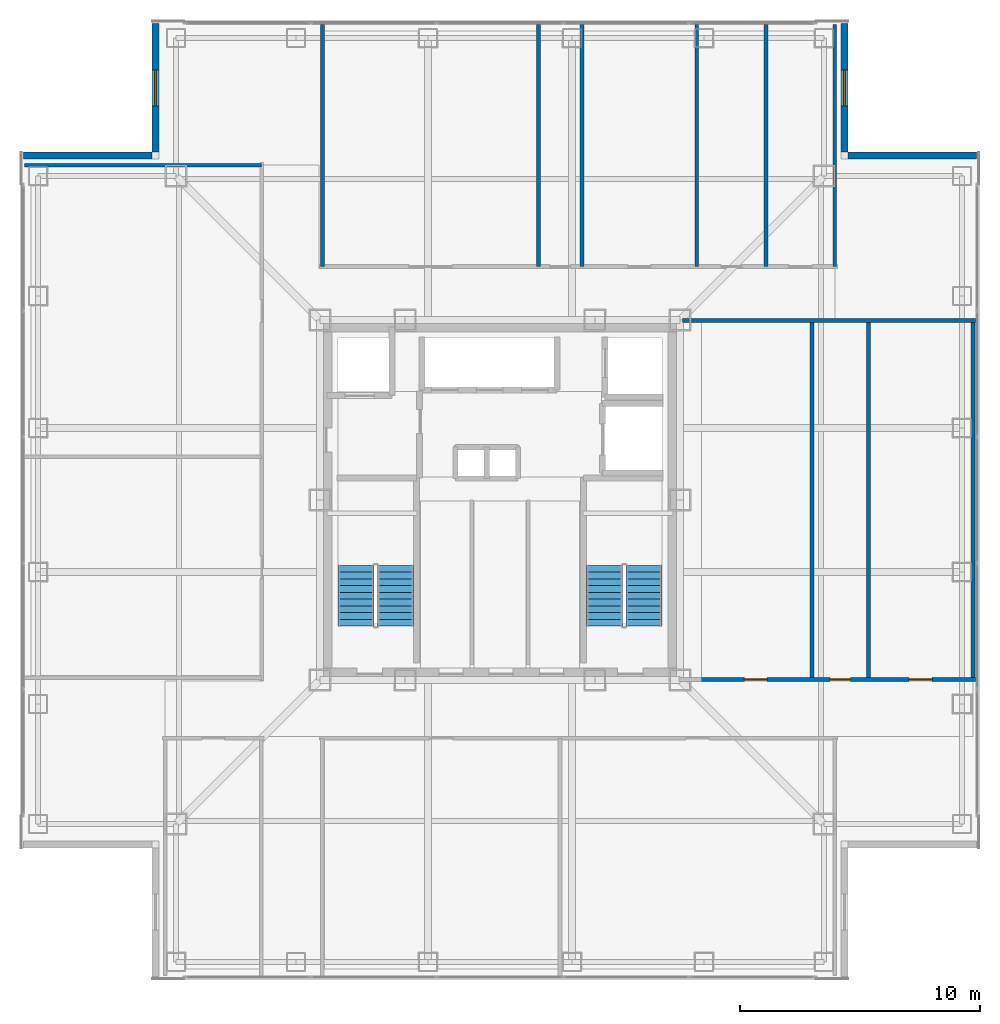
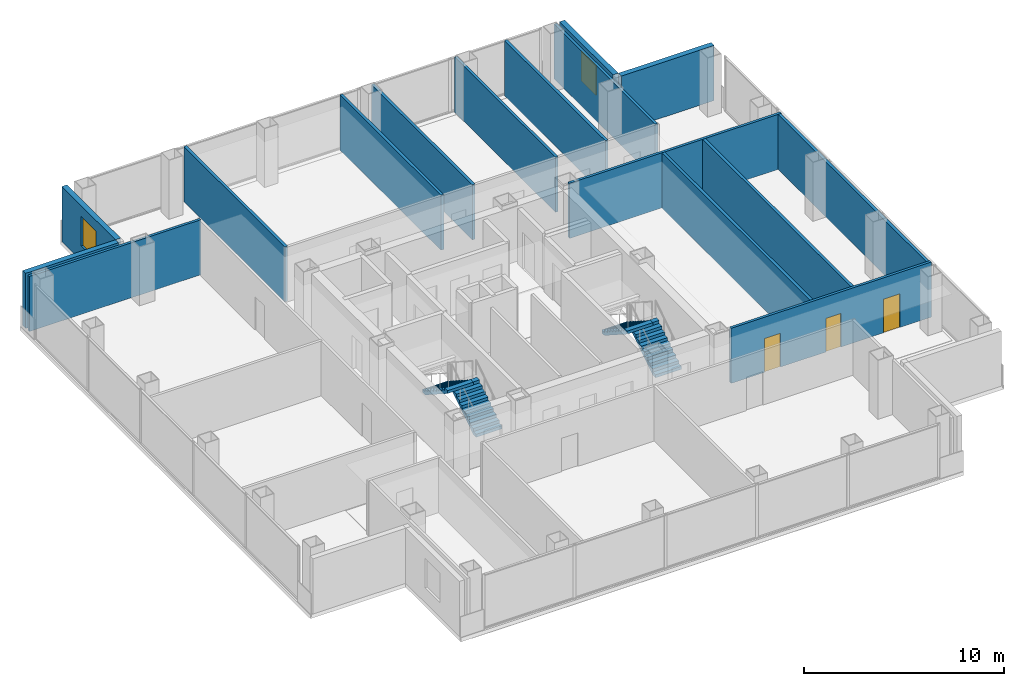
# One storey, part 12 of 18: 16 walls, 4 stair flights, 3 doors, 2 windows, 5 openings, 2 elements without a shape of their own.
"""IFC4 building model written with IfcOpenShell, lengths in metres."""

import ifcopenshell
import ifcopenshell.guid

model = None  # the IFC model being written
_history = None  # IfcOwnerHistory: only IFC2X3 demands one
_inside = {}  # id of a spatial element -> (the spatial element, [elements in it])
_under = {}  # id of a project, library or spatial element -> (it, [spatial elements below it])
_declared = {}  # id of a project -> (the project, [libraries it declares])
_typed = {}  # id of a type object -> (the type object, [elements of that type])
_made_of = {}  # id of a material, layer set ... -> (it, [elements and type objects made of it])


def new_model(schema):
    """Start an empty IFC model of exactly this schema.

    Asked for "IFC4X3", IfcOpenShell would pick the latest addendum, in which some entities
    have other attributes; the version numbers below select the first issue.
    IFC2X3 requires an IfcOwnerHistory on every rooted entity: one is made here for all.
    """
    global model, _history
    if schema == "IFC4X3":
        model = ifcopenshell.file(schema_version=(4, 3, 0, 0))
    else:
        model = ifcopenshell.file(schema=schema)
    _inside.clear()
    _under.clear()
    _declared.clear()
    _typed.clear()
    _made_of.clear()
    _history = None
    if model.schema == "IFC2X3":
        org = make("IfcOrganization", Name="unknown")
        user = make(
            "IfcPersonAndOrganization",
            ThePerson=make("IfcPerson", FamilyName="unknown"),
            TheOrganization=org,
        )
        app = make(
            "IfcApplication",
            ApplicationDeveloper=org,
            Version="unknown",
            ApplicationFullName="unknown",
            ApplicationIdentifier="unknown",
        )
        _history = make(
            "IfcOwnerHistory",
            OwningUser=user,
            OwningApplication=app,
            ChangeAction="ADDED",
            CreationDate=0,
        )
    return model


def make(cls, **values):
    """One entity of the class cls with the attributes given. An attribute that is None is left unset."""
    return model.create_entity(
        cls, **{name: value for name, value in values.items() if value is not None}
    )


def rooted(cls, **values):
    """An entity with a GlobalId (a new one), such as an element, a storey or a relation."""
    return make(cls, GlobalId=ifcopenshell.guid.new(), OwnerHistory=_history, **values)


def si_unit(unit_type, name, prefix=None):
    """IfcSIUnit, for example si_unit("LENGTHUNIT", "METRE", prefix="MILLI")."""
    return make("IfcSIUnit", UnitType=unit_type, Prefix=prefix, Name=name)


def assignment(units):
    """IfcUnitAssignment: the units of a project."""
    return None if units is None else make("IfcUnitAssignment", Units=units)


def point(xyz):
    """IfcCartesianPoint."""
    return None if xyz is None else make("IfcCartesianPoint", Coordinates=xyz)


def direction(xyz):
    """IfcDirection."""
    return None if xyz is None else make("IfcDirection", DirectionRatios=xyz)


def frame(location, z_axis=None, x_axis=None):
    """IfcAxis2Placement3D, a coordinate frame: its origin and axes. An axis left out is left unset."""
    return make(
        "IfcAxis2Placement3D",
        Location=point(location),
        Axis=direction(z_axis),
        RefDirection=direction(x_axis),
    )


def frame_2d(location, x_axis=None):
    """IfcAxis2Placement2D, a coordinate frame in the plane: its origin and x axis."""
    return make(
        "IfcAxis2Placement2D", Location=point(location), RefDirection=direction(x_axis)
    )


def origin():
    """The frame at (0, 0, 0) with its axes left unset."""
    return frame((0.0, 0.0, 0.0))


def place(relative_to, where):
    """IfcLocalPlacement: puts the frame where relative to a parent placement (None: the world)."""
    return make(
        "IfcLocalPlacement", PlacementRelTo=relative_to, RelativePlacement=where
    )


def context(
    kind, dimensions, precision=None, world=None, true_north=None, identifier=None
):
    """IfcGeometricRepresentationContext, for example the 3D "Model" context."""
    return make(
        "IfcGeometricRepresentationContext",
        ContextIdentifier=identifier,
        ContextType=kind,
        CoordinateSpaceDimension=dimensions,
        Precision=precision,
        WorldCoordinateSystem=world,
        TrueNorth=true_north,
    )


def subcontext(parent, identifier, kind, view, scale=None):
    """IfcGeometricRepresentationSubContext, for example "Body" below "Model"."""
    return make(
        "IfcGeometricRepresentationSubContext",
        ContextIdentifier=identifier,
        ContextType=kind,
        ParentContext=parent,
        TargetScale=scale,
        TargetView=view,
    )


def project(units=None, contexts=None):
    """IfcProject with its units and contexts."""
    return rooted(
        "IfcProject",
        Name="project",
        RepresentationContexts=contexts,
        UnitsInContext=assignment(units),
    )


def spatial(cls, under=None, at=None, **own):
    """A site, building, storey or space (cls), placed at a placement, below another one or the project."""
    s = rooted(cls, ObjectPlacement=at, **own)
    if under is not None:
        _under.setdefault(under.id(), (under, []))[1].append(s)
    return s


def polyline(points):
    """IfcPolyline through the points."""
    return make("IfcPolyline", Points=[point(p) for p in points])


def profile(cls, at=None, kind="AREA", **sizes):
    """A parametric profile (cls). Its sizes go by their IFC names, for example OverallWidth=200.0."""
    return make(cls, ProfileType=kind, Position=at, **sizes)


def rectangle(**sizes):
    """IfcRectangleProfileDef."""
    return profile("IfcRectangleProfileDef", **sizes)


def outline(outer, holes=None, kind="AREA"):
    """IfcArbitraryClosedProfileDef: a profile drawn as a closed curve; with holes, ...WithVoids."""
    if holes is None:
        return make("IfcArbitraryClosedProfileDef", ProfileType=kind, OuterCurve=outer)
    return make(
        "IfcArbitraryProfileDefWithVoids",
        ProfileType=kind,
        OuterCurve=outer,
        InnerCurves=holes,
    )


def extrude(swept, where, along, depth):
    """IfcExtrudedAreaSolid: the profile swept, set in the frame where, extruded along a direction by depth."""
    return make(
        "IfcExtrudedAreaSolid",
        SweptArea=swept,
        Position=where,
        ExtrudedDirection=direction(along),
        Depth=depth,
    )


def shape(context_of_items, identifier, shape_type, items):
    """IfcShapeRepresentation: the items that make up one representation, for example the "Body"."""
    return make(
        "IfcShapeRepresentation",
        ContextOfItems=context_of_items,
        RepresentationIdentifier=identifier,
        RepresentationType=shape_type,
        Items=items,
    )


def material(Name=None, Category=None):
    """IfcMaterial."""
    return make("IfcMaterial", Name=Name, Category=Category)


def layer(
    of_material, thickness, ventilated=None, Name=None, Category=None, Priority=None
):
    """IfcMaterialLayer: one layer of a wall or slab, of a material (None: an air gap)."""
    return make(
        "IfcMaterialLayer",
        Material=of_material,
        LayerThickness=thickness,
        IsVentilated=ventilated,
        Name=Name,
        Category=Category,
        Priority=Priority,
    )


def layer_set(layers, Name=None):
    """IfcMaterialLayerSet."""
    return make("IfcMaterialLayerSet", MaterialLayers=layers, LayerSetName=Name)


def made_of(thing, what):
    """Note that an element or type object is made of a material, layer set ...; save() writes the relation."""
    if what is not None:
        _made_of.setdefault(what.id(), (what, []))[1].append(thing)
    return thing


def type_object(cls, material=None, **own):
    """A type object (cls), such as IfcWallType, which elements share."""
    return made_of(rooted(cls, **own), material)


def element(
    cls,
    number,
    at=None,
    inside=None,
    cuts=None,
    type_object=None,
    material=None,
    context=None,
    identifier="Body",
    shape_type=None,
    held_by="IfcProductDefinitionShape",
    body=None,
    shapes=None,
    **own,
):
    """One element of the class cls, such as IfcWall. Its Tag is "e" and its number.

    at: its placement. inside: the storey or other place that contains it. cuts: it is an
    opening in that element (IfcRelVoidsElement). A single representation is given by context,
    identifier, shape_type and body (its items); several are given by shapes. held_by: the class
    of the entity that holds the representations. save() writes the other relations.
    """
    e = rooted(cls, Tag="e%d" % number, ObjectPlacement=at, **own)
    if body is not None:
        shapes = [shape(context, identifier, shape_type, body)]
    if shapes is not None:
        e.Representation = make(held_by, Representations=shapes)
    if inside is not None:
        _inside.setdefault(inside.id(), (inside, []))[1].append(e)
    if cuts is not None:
        rooted(
            "IfcRelVoidsElement", RelatingBuildingElement=cuts, RelatedOpeningElement=e
        )
    if type_object is not None:
        _typed.setdefault(type_object.id(), (type_object, []))[1].append(e)
    return made_of(e, material)


def fill(opening, filler):
    """IfcRelFillsElement: the door or window that sits in an opening."""
    return rooted(
        "IfcRelFillsElement",
        RelatingOpeningElement=opening,
        RelatedBuildingElement=filler,
    )


def aggregate(whole, parts):
    """IfcRelAggregates: a whole, such as a stair, and the parts it consists of."""
    return rooted("IfcRelAggregates", RelatingObject=whole, RelatedObjects=parts)


def save(model, path):
    """Write the relations noted so far, then the file.

    IfcRelAggregates (storeys below a building ...), IfcRelContainedInSpatialStructure (elements
    in a storey), IfcRelDefinesByType, IfcRelAssociatesMaterial and IfcRelDeclares: one each for
    every whole, place, type object, material and project.
    """
    for whole, parts in _under.values():
        aggregate(whole, parts)
    for where, things in _inside.values():
        rooted(
            "IfcRelContainedInSpatialStructure",
            RelatedElements=things,
            RelatingStructure=where,
        )
    for kind, things in _typed.values():
        rooted("IfcRelDefinesByType", RelatedObjects=things, RelatingType=kind)
    for what, things in _made_of.values():
        rooted("IfcRelAssociatesMaterial", RelatedObjects=things, RelatingMaterial=what)
    for by, libraries in _declared.values():
        rooted("IfcRelDeclares", RelatingContext=by, RelatedDefinitions=libraries)
    model.write(path)


model = new_model("IFC4")

# Units and contexts
model_context = context("Model", 3, precision=1e-05, world=origin(), true_north=direction((0.0, 1.0)))
body_context = subcontext(model_context, "Body", "Model", "MODEL_VIEW")
ifc_project = project(units=[si_unit("LENGTHUNIT", "METRE"), si_unit("AREAUNIT", "SQUARE_METRE"), si_unit("VOLUMEUNIT", "CUBIC_METRE"), si_unit("PLANEANGLEUNIT", "RADIAN"), si_unit("MASSUNIT", "GRAM", prefix="KILO")], contexts=[model_context])

# Site, building, storey
site_placement = place(None, origin())
site = spatial("IfcSite", under=ifc_project, at=site_placement, CompositionType="ELEMENT")
building_placement = place(site_placement, origin())
building = spatial("IfcBuilding", under=site, at=building_placement, Name="Trevonay Congress Spire", CompositionType="ELEMENT")
storey_placement = place(building_placement, frame((0.0, 0.0, 220.199951171875)))
storey = spatial("IfcBuildingStorey", under=building, at=storey_placement, Name="L57", CompositionType="ELEMENT", Elevation=220.199951171875)

# Wall, openings, doors
ifc_material_1 = material(Name="Concrete C40/50", Category="concrete")
ifc_layer_1 = layer(ifc_material_1, 0.14990234375, Name="Concrete C40/50")
ifc_layer_set_1 = layer_set([ifc_layer_1], Name="Concrete C40/50")
wall_type_1 = type_object("IfcWallType", Name="WAL-CORR-150", PredefinedType="PARTITIONING", material=ifc_layer_set_1)
wall_1_placement = place(storey_placement, frame((8.280029296875, -7.47998046875, 0.0), z_axis=(0.0, 0.0, 1.0), x_axis=(1.0, 0.0, 0.0)))
wall_1 = element("IfcWall", 1, at=wall_1_placement, inside=storey, type_object=wall_type_1, Name="L57 interior wall WP-L57E-COR", PredefinedType="PARTITIONING", context=body_context, shape_type="SweptSolid", body=[
    extrude(rectangle(XDim=11.5400390625, YDim=0.14990234375, at=frame_2d((5.77001953125, 0.0))), origin(), (0.0, 0.0, 1.0), 3.360107421875),
])
opening_1_placement = place(wall_1_placement, frame((1.905029296875, 0.0, 0.0)))
opening_1 = element("IfcOpeningElement", 2, at=opening_1_placement, cuts=wall_1, Name="Opening D07", PredefinedType="OPENING", context=body_context, shape_type="SweptSolid", body=[
    extrude(rectangle(XDim=0.949951171875, YDim=2.06005859375, at=frame_2d((0.47509765625, 1.030029296875))), frame((0.0, 0.0849609375, 0.0), z_axis=(0.0, -1.0, 0.0), x_axis=(1.0, 0.0, 0.0)), (0.0, 0.0, 1.0), 0.169921875),
])
opening_2_placement = place(wall_1_placement, frame((5.469970703125, 0.0, 0.0)))
opening_2 = element("IfcOpeningElement", 3, at=opening_2_placement, cuts=wall_1, Name="Opening D10", PredefinedType="OPENING", context=body_context, shape_type="SweptSolid", body=[
    extrude(rectangle(XDim=0.85009765625, YDim=2.050048828125, at=frame_2d((0.425048828125, 1.02490234375))), frame((0.0, 0.0849609375, 0.0), z_axis=(0.0, -1.0, 0.0), x_axis=(1.0, 0.0, 0.0)), (0.0, 0.0, 1.0), 0.169921875),
])
opening_3_placement = place(wall_1_placement, frame((8.77001953125, 0.0, 0.0)))
opening_3 = element("IfcOpeningElement", 4, at=opening_3_placement, cuts=wall_1, Name="Opening D07", PredefinedType="OPENING", context=body_context, shape_type="SweptSolid", body=[
    extrude(rectangle(XDim=0.949951171875, YDim=2.06005859375, at=frame_2d((0.47509765625, 1.030029296875))), frame((0.0, 0.0849609375, 0.0), z_axis=(0.0, -1.0, 0.0), x_axis=(1.0, 0.0, 0.0)), (0.0, 0.0, 1.0), 0.169921875),
])
ifc_material_2 = material(Name="Pale Anodised Aluminium EN AW-6063-T6", Category="aluminium")
door_type_1 = type_object("IfcDoorType", Name="DOR-OFFICE-95", OperationType="NOTDEFINED", PredefinedType="DOOR", material=ifc_material_2)
door_1_placement = place(opening_1_placement, origin())
door_1 = element("IfcDoor", 5, at=door_1_placement, inside=storey, type_object=door_type_1, Name="L57 Catering Kitchen Door", OperationType="SINGLE_SWING_LEFT", OverallHeight=2.06005859375, OverallWidth=0.949951171875, PredefinedType="DOOR", context=body_context, shape_type="SweptSolid", body=[
    extrude(rectangle(XDim=0.949951171875, YDim=2.06005859375, at=frame_2d((0.47509765625, 1.030029296875))), frame((0.0, 0.02490234375, 0.0), z_axis=(0.0, -1.0, 0.0), x_axis=(1.0, 0.0, 0.0)), (0.0, 0.0, 1.0), 0.050048828125),
])
fill(opening_1, door_1)
door_2_placement = place(opening_3_placement, origin())
door_2 = element("IfcDoor", 6, at=door_2_placement, inside=storey, type_object=door_type_1, Name="L57 Floor Supplies and Copy Room Door", OperationType="SINGLE_SWING_LEFT", OverallHeight=2.06005859375, OverallWidth=0.949951171875, PredefinedType="DOOR", context=body_context, shape_type="SweptSolid", body=[
    extrude(rectangle(XDim=0.949951171875, YDim=2.06005859375, at=frame_2d((0.47509765625, 1.030029296875))), frame((0.0, 0.02490234375, 0.0), z_axis=(0.0, -1.0, 0.0), x_axis=(1.0, 0.0, 0.0)), (0.0, 0.0, 1.0), 0.050048828125),
])
fill(opening_3, door_2)
door_type_2 = type_object("IfcDoorType", Name="DOR-WC-85", OperationType="NOTDEFINED", PredefinedType="DOOR", material=ifc_material_2)
door_3_placement = place(opening_2_placement, origin())
door_3 = element("IfcDoor", 7, at=door_3_placement, inside=storey, type_object=door_type_2, Name="L57 Male Restroom WC Door", OperationType="SINGLE_SWING_RIGHT", OverallHeight=2.050048828125, OverallWidth=0.85009765625, PredefinedType="DOOR", context=body_context, shape_type="SweptSolid", body=[
    extrude(rectangle(XDim=0.85009765625, YDim=2.050048828125, at=frame_2d((0.425048828125, 1.02490234375))), frame((0.0, 0.02490234375, 0.0), z_axis=(0.0, -1.0, 0.0), x_axis=(1.0, 0.0, 0.0)), (0.0, 0.0, 1.0), 0.050048828125),
])
fill(opening_2, door_3)

# Wall, opening, window
ifc_material_3 = material(Name="Precast concrete C40/50", Category="concrete")
ifc_layer_2 = layer(ifc_material_3, 0.300048828125, Name="Precast concrete C40/50")
ifc_layer_set_2 = layer_set([ifc_layer_2], Name="Precast concrete C40/50")
wall_type_2 = type_object("IfcWallType", Name="WAL-EXT-PRECAST-300", PredefinedType="SOLIDWALL", material=ifc_layer_set_2)
wall_2_placement = place(storey_placement, frame((14.35009765625, 19.85009765625, 0.0), z_axis=(0.0, 0.0, 1.0), x_axis=(0.0, -1.0, 0.0)))
wall_2 = element("IfcWall", 8, at=wall_2_placement, inside=storey, type_object=wall_type_2, Name="L57 NE re-entrant notch exterior wall 1", PredefinedType="SOLIDWALL", context=body_context, shape_type="SweptSolid", body=[
    extrude(rectangle(XDim=5.35009765625, YDim=0.300048828125, at=frame_2d((2.675048828125, 0.0))), origin(), (0.0, 0.0, 1.0), 3.360107421875),
])
opening_4_placement = place(wall_2_placement, frame((1.925048828125, 0.0, 0.89990234375)))
opening_4 = element("IfcOpeningElement", 9, at=opening_4_placement, cuts=wall_2, Name="Opening WN03", PredefinedType="OPENING", context=body_context, shape_type="SweptSolid", body=[
    extrude(rectangle(XDim=1.5, YDim=1.800048828125, at=frame_2d((0.75, 0.89990234375))), frame((0.0, 0.16015625, 0.0), z_axis=(0.0, -1.0, 0.0), x_axis=(1.0, 0.0, 0.0)), (0.0, 0.0, 1.0), 0.320068359375),
])
ifc_material_4 = material(Name="Insulated Low-E Vision Glass IGU", Category="glass")
window_type = type_object("IfcWindowType", Name="WIN-NOTCH-150X180", PartitioningType="SINGLE_PANEL", PredefinedType="WINDOW", material=ifc_material_4)
window_1_placement = place(opening_4_placement, origin())
window_1 = element("IfcWindow", 10, at=window_1_placement, inside=storey, type_object=window_type, Name="L57 NE corner notch window", OverallHeight=1.800048828125, OverallWidth=1.5, PartitioningType="SINGLE_PANEL", PredefinedType="WINDOW", context=body_context, shape_type="SweptSolid", body=[
    extrude(rectangle(XDim=1.5, YDim=1.800048828125, at=frame_2d((0.75, 0.89990234375))), frame((0.0, 0.030029296875, 0.0), z_axis=(0.0, -1.0, 0.0), x_axis=(1.0, 0.0, 0.0)), (0.0, 0.0, 1.0), 0.06005859375),
])
fill(opening_4, window_1)

# Wall
wall_3_placement = place(storey_placement, frame((19.85009765625, 14.35009765625, 0.0), z_axis=(0.0, 0.0, 1.0), x_axis=(-1.0, 0.0, 0.0)))
element("IfcWall", 11, at=wall_3_placement, inside=storey, type_object=wall_type_2, Name="L57 NE re-entrant notch exterior wall 2", PredefinedType="SOLIDWALL", context=body_context, shape_type="SweptSolid", body=[
    extrude(rectangle(XDim=5.35009765625, YDim=0.300048828125, at=frame_2d((2.675048828125, 0.0))), origin(), (0.0, 0.0, 1.0), 3.360107421875),
])

# Wall, opening, window
wall_4_placement = place(storey_placement, frame((-14.35009765625, 19.85009765625, 0.0), z_axis=(0.0, 0.0, 1.0), x_axis=(0.0, -1.0, 0.0)))
wall_4 = element("IfcWall", 12, at=wall_4_placement, inside=storey, type_object=wall_type_2, Name="L57 NW re-entrant notch exterior wall 1", PredefinedType="SOLIDWALL", context=body_context, shape_type="SweptSolid", body=[
    extrude(rectangle(XDim=5.35009765625, YDim=0.300048828125, at=frame_2d((2.675048828125, 0.0))), origin(), (0.0, 0.0, 1.0), 3.360107421875),
])
opening_5_placement = place(wall_4_placement, frame((1.925048828125, 0.0, 0.89990234375)))
opening_5 = element("IfcOpeningElement", 13, at=opening_5_placement, cuts=wall_4, Name="Opening WN03", PredefinedType="OPENING", context=body_context, shape_type="SweptSolid", body=[
    extrude(rectangle(XDim=1.5, YDim=1.800048828125, at=frame_2d((0.75, 0.89990234375))), frame((0.0, 0.16015625, 0.0), z_axis=(0.0, -1.0, 0.0), x_axis=(1.0, 0.0, 0.0)), (0.0, 0.0, 1.0), 0.320068359375),
])
window_2_placement = place(opening_5_placement, origin())
window_2 = element("IfcWindow", 14, at=window_2_placement, inside=storey, type_object=window_type, Name="L57 NW corner notch window", OverallHeight=1.800048828125, OverallWidth=1.5, PartitioningType="SINGLE_PANEL", PredefinedType="WINDOW", context=body_context, shape_type="SweptSolid", body=[
    extrude(rectangle(XDim=1.5, YDim=1.800048828125, at=frame_2d((0.75, 0.89990234375))), frame((0.0, 0.030029296875, 0.0), z_axis=(0.0, -1.0, 0.0), x_axis=(1.0, 0.0, 0.0)), (0.0, 0.0, 1.0), 0.06005859375),
])
fill(opening_5, window_2)

# Walls
wall_5_placement = place(storey_placement, frame((-19.85009765625, 14.35009765625, 0.0), z_axis=(0.0, 0.0, 1.0), x_axis=(1.0, 0.0, 0.0)))
element("IfcWall", 15, at=wall_5_placement, inside=storey, type_object=wall_type_2, Name="L57 NW re-entrant notch exterior wall 2", PredefinedType="SOLIDWALL", context=body_context, shape_type="SweptSolid", body=[
    extrude(rectangle(XDim=5.35009765625, YDim=0.300048828125, at=frame_2d((2.675048828125, 0.0))), origin(), (0.0, 0.0, 1.0), 3.360107421875),
])
ifc_layer_3 = layer(ifc_material_1, 0.14990234375, Name="Concrete C40/50")
ifc_layer_set_3 = layer_set([ifc_layer_3], Name="Concrete C40/50")
wall_type_3 = type_object("IfcWallType", Name="WAL-PART-150", PredefinedType="PARTITIONING", material=ifc_layer_set_3)
wall_6_placement = place(storey_placement, frame((-19.820068359375, 13.949951171875, 0.0), z_axis=(0.0, 0.0, 1.0), x_axis=(1.0, 0.0, 0.0)))
element("IfcWall", 16, at=wall_6_placement, inside=storey, type_object=wall_type_3, Name="L57 interior wall WP-L57NW-DIV3", PredefinedType="PARTITIONING", context=body_context, shape_type="SweptSolid", body=[
    extrude(rectangle(XDim=9.89013671875, YDim=0.14990234375, at=frame_2d((4.945068359375, 0.0))), origin(), (0.0, 0.0, 1.0), 3.360107421875),
])
for number, where, z_axis, x_axis, name in (
    (17, (8.199951171875, 9.72998046875, 0.0), (0.0, 0.0, 1.0), (0.0, 1.0, 0.0), "L57 interior wall WP-L57N-DIV3"),
    (18, (13.949951171875, 9.72998046875, 0.0), (0.0, 0.0, 1.0), (0.0, 1.0, 0.0), "L57 interior wall WP-L57N-DIV4"),
):
    element("IfcWall", number, at=place(storey_placement, frame(where, z_axis=z_axis, x_axis=x_axis)), inside=storey, type_object=wall_type_3, Name=name, PredefinedType="PARTITIONING", context=body_context, shape_type="SweptSolid", body=[
        extrude(rectangle(XDim=10.090087890625, YDim=0.14990234375, at=frame_2d((5.044921875, 0.0))), origin(), (0.0, 0.0, 1.0), 3.360107421875),
    ])
wall_7_placement = place(storey_placement, frame((7.60009765625, 7.47998046875, 0.0), z_axis=(0.0, 0.0, 1.0), x_axis=(1.0, 0.0, 0.0)))
element("IfcWall", 19, at=wall_7_placement, inside=storey, type_object=wall_type_3, Name="L57 interior wall WP-L57E-NCLS", PredefinedType="PARTITIONING", context=body_context, shape_type="SweptSolid", body=[
    extrude(rectangle(XDim=12.219970703125, YDim=0.14990234375, at=frame_2d((6.10986328125, 0.0))), origin(), (0.0, 0.0, 1.0), 3.360107421875),
])
ifc_layer_4 = layer(ifc_material_1, 0.1650390625, Name="Concrete C40/50")
ifc_layer_set_4 = layer_set([ifc_layer_4], Name="Concrete C40/50")
wall_type_4 = type_object("IfcWallType", Name="WAL-WET-165", PredefinedType="PLUMBINGWALL", material=ifc_layer_set_4)
for number, where, z_axis, x_axis, name in (
    (20, (3.409912109375, 9.72998046875, 0.0), (0.0, 0.0, 1.0), (0.0, 1.0, 0.0), "L57 interior wall WP-L57N-WCS2"),
    (21, (11.080078125, 9.72998046875, 0.0), (0.0, 0.0, 1.0), (0.0, 1.0, 0.0), "L57 interior wall WP-L57N-WCS3"),
    (22, (-7.39990234375, 9.72998046875, 0.0), (0.0, 0.0, 1.0), (0.0, 1.0, 0.0), "L57 interior wall WP-L57N-DIV1"),
    (23, (1.60009765625, 9.72998046875, 0.0), (0.0, 0.0, 1.0), (0.0, 1.0, 0.0), "L57 interior wall WP-L57N-DIV2"),
):
    element("IfcWall", number, at=place(storey_placement, frame(where, z_axis=z_axis, x_axis=x_axis)), inside=storey, type_object=wall_type_4, Name=name, PredefinedType="PLUMBINGWALL", context=body_context, shape_type="SweptSolid", body=[
        extrude(rectangle(XDim=10.090087890625, YDim=0.1650390625, at=frame_2d((5.044921875, 0.0))), origin(), (0.0, 0.0, 1.0), 3.360107421875),
    ])
for number, where, z_axis, x_axis, name in (
    (24, (15.35009765625, -7.47998046875, 0.0), (0.0, 0.0, 1.0), (0.0, 1.0, 0.0), "L57 interior wall WP-L57E-WCS2"),
    (25, (13.0, -7.47998046875, 0.0), (0.0, 0.0, 1.0), (0.0, 1.0, 0.0), "L57 interior wall WP-L57E-DIV1"),
    (26, (19.699951171875, -7.47998046875, 0.0), (0.0, 0.0, 1.0), (0.0, 1.0, 0.0), "L57 interior wall WP-L57E-DIV2"),
):
    element("IfcWall", number, at=place(storey_placement, frame(where, z_axis=z_axis, x_axis=x_axis)), inside=storey, type_object=wall_type_4, Name=name, PredefinedType="PLUMBINGWALL", context=body_context, shape_type="SweptSolid", body=[
        extrude(rectangle(XDim=14.89990234375, YDim=0.1650390625, at=frame_2d((7.449951171875, 0.0))), origin(), (0.0, 0.0, 1.0), 3.360107421875),
    ])

# Stair, stair flights
stair_type_1 = type_object("IfcStairType", Name="STR-ST-1", PredefinedType="HALF_TURN_STAIR", material=ifc_material_1)
stair_1_placement = place(storey_placement, origin())
stair_1 = element("IfcStair", 27, at=stair_1_placement, inside=storey, type_object=stair_type_1, Name="L57 Protected Exit Stair ST-1", PredefinedType="HALF_TURN_STAIR")
stair_flight_type_1 = type_object("IfcStairFlightType", Name="SFL-ST-1", PredefinedType="STRAIGHT", material=ifc_material_1)
stair_flight_1_placement = place(storey_placement, frame((-4.35009765625, -5.25, 0.0), z_axis=(0.0, 0.0, 1.0), x_axis=(0.0, 1.0, 0.0)))
stair_flight_1 = element("IfcStairFlight", 28, at=stair_flight_1_placement, type_object=stair_flight_type_1, Name="ST-1 flight 1", NumberOfRisers=10, NumberOfTreads=9, PredefinedType="STRAIGHT", RiserHeight=0.18, TreadLength=0.28, context=body_context, shape_type="SweptSolid", body=[
    extrude(outline(polyline([(0.0, 0.0), (0.0, 0.179931640625), (0.280029296875, 0.179931640625), (0.280029296875, 0.360107421875), (0.56005859375, 0.360107421875), (0.56005859375, 0.5400390625), (0.840087890625, 0.5400390625), (0.840087890625, 0.719970703125), (1.1201171875, 0.719970703125), (1.1201171875, 0.89990234375), (1.39990234375, 0.89990234375), (1.39990234375, 1.080078125), (1.679931640625, 1.080078125), (1.679931640625, 1.260009765625), (1.9599609375, 1.260009765625), (1.9599609375, 1.43994140625), (2.239990234375, 1.43994140625), (2.239990234375, 1.6201171875), (2.52001953125, 1.6201171875), (2.52001953125, 1.800048828125), (2.52001953125, 1.44189453125), (0.277099609375, 0.0), (0.0, 0.0)])), frame((0.0, 0.75, 0.0), z_axis=(0.0, -1.0, 0.0), x_axis=(1.0, 0.0, 0.0)), (0.0, 0.0, 1.0), 1.5),
])
stair_flight_2_placement = place(storey_placement, frame((-6.0, -2.72998046875, 1.800048828125), z_axis=(0.0, 0.0, 1.0), x_axis=(0.0, -1.0, 0.0)))
stair_flight_2 = element("IfcStairFlight", 29, at=stair_flight_2_placement, type_object=stair_flight_type_1, Name="ST-1 flight 2", NumberOfRisers=10, NumberOfTreads=9, PredefinedType="STRAIGHT", RiserHeight=0.18, TreadLength=0.28, context=body_context, shape_type="SweptSolid", body=[
    extrude(outline(polyline([(0.0, 0.0), (0.0, 0.179931640625), (0.280029296875, 0.179931640625), (0.280029296875, 0.360107421875), (0.56005859375, 0.360107421875), (0.56005859375, 0.5400390625), (0.840087890625, 0.5400390625), (0.840087890625, 0.719970703125), (1.1201171875, 0.719970703125), (1.1201171875, 0.89990234375), (1.39990234375, 0.89990234375), (1.39990234375, 1.080078125), (1.679931640625, 1.080078125), (1.679931640625, 1.260009765625), (1.9599609375, 1.260009765625), (1.9599609375, 1.43994140625), (2.239990234375, 1.43994140625), (2.239990234375, 1.6201171875), (2.52001953125, 1.6201171875), (2.52001953125, 1.800048828125), (2.52001953125, 1.44189453125), (0.277099609375, 0.0), (0.0, 0.0)])), frame((0.0, 0.75, 0.0), z_axis=(0.0, -1.0, 0.0), x_axis=(1.0, 0.0, 0.0)), (0.0, 0.0, 1.0), 1.5),
])
aggregate(stair_1, [stair_flight_1, stair_flight_2])

stair_type_2 = type_object("IfcStairType", Name="STR-ST-2", PredefinedType="HALF_TURN_STAIR", material=ifc_material_1)
stair_2_placement = place(storey_placement, origin())
stair_2 = element("IfcStair", 30, at=stair_2_placement, inside=storey, type_object=stair_type_2, Name="L57 Protected Exit Stair ST-2", PredefinedType="HALF_TURN_STAIR")
stair_flight_type_2 = type_object("IfcStairFlightType", Name="SFL-ST-2", PredefinedType="STRAIGHT", material=ifc_material_1)
stair_flight_3_placement = place(storey_placement, frame((6.0, -5.25, 0.0), z_axis=(0.0, 0.0, 1.0), x_axis=(0.0, 1.0, 0.0)))
stair_flight_3 = element("IfcStairFlight", 31, at=stair_flight_3_placement, type_object=stair_flight_type_2, Name="ST-2 flight 1", NumberOfRisers=10, NumberOfTreads=9, PredefinedType="STRAIGHT", RiserHeight=0.18, TreadLength=0.28, context=body_context, shape_type="SweptSolid", body=[
    extrude(outline(polyline([(0.0, 0.0), (0.0, 0.179931640625), (0.280029296875, 0.179931640625), (0.280029296875, 0.360107421875), (0.56005859375, 0.360107421875), (0.56005859375, 0.5400390625), (0.840087890625, 0.5400390625), (0.840087890625, 0.719970703125), (1.1201171875, 0.719970703125), (1.1201171875, 0.89990234375), (1.39990234375, 0.89990234375), (1.39990234375, 1.080078125), (1.679931640625, 1.080078125), (1.679931640625, 1.260009765625), (1.9599609375, 1.260009765625), (1.9599609375, 1.43994140625), (2.239990234375, 1.43994140625), (2.239990234375, 1.6201171875), (2.52001953125, 1.6201171875), (2.52001953125, 1.800048828125), (2.52001953125, 1.44189453125), (0.277099609375, 0.0), (0.0, 0.0)])), frame((0.0, 0.75, 0.0), z_axis=(0.0, -1.0, 0.0), x_axis=(1.0, 0.0, 0.0)), (0.0, 0.0, 1.0), 1.5),
])
stair_flight_4_placement = place(storey_placement, frame((4.35009765625, -2.72998046875, 1.800048828125), z_axis=(0.0, 0.0, 1.0), x_axis=(0.0, -1.0, 0.0)))
stair_flight_4 = element("IfcStairFlight", 32, at=stair_flight_4_placement, type_object=stair_flight_type_2, Name="ST-2 flight 2", NumberOfRisers=10, NumberOfTreads=9, PredefinedType="STRAIGHT", RiserHeight=0.18, TreadLength=0.28, context=body_context, shape_type="SweptSolid", body=[
    extrude(outline(polyline([(0.0, 0.0), (0.0, 0.179931640625), (0.280029296875, 0.179931640625), (0.280029296875, 0.360107421875), (0.56005859375, 0.360107421875), (0.56005859375, 0.5400390625), (0.840087890625, 0.5400390625), (0.840087890625, 0.719970703125), (1.1201171875, 0.719970703125), (1.1201171875, 0.89990234375), (1.39990234375, 0.89990234375), (1.39990234375, 1.080078125), (1.679931640625, 1.080078125), (1.679931640625, 1.260009765625), (1.9599609375, 1.260009765625), (1.9599609375, 1.43994140625), (2.239990234375, 1.43994140625), (2.239990234375, 1.6201171875), (2.52001953125, 1.6201171875), (2.52001953125, 1.800048828125), (2.52001953125, 1.44189453125), (0.277099609375, 0.0), (0.0, 0.0)])), frame((0.0, 0.75, 0.0), z_axis=(0.0, -1.0, 0.0), x_axis=(1.0, 0.0, 0.0)), (0.0, 0.0, 1.0), 1.5),
])
aggregate(stair_2, [stair_flight_3, stair_flight_4])

save(model, "model.ifc")
